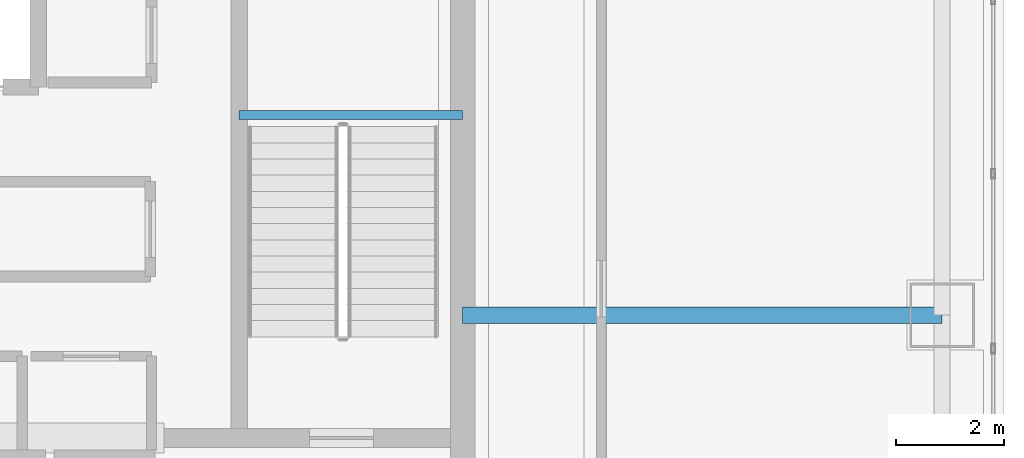
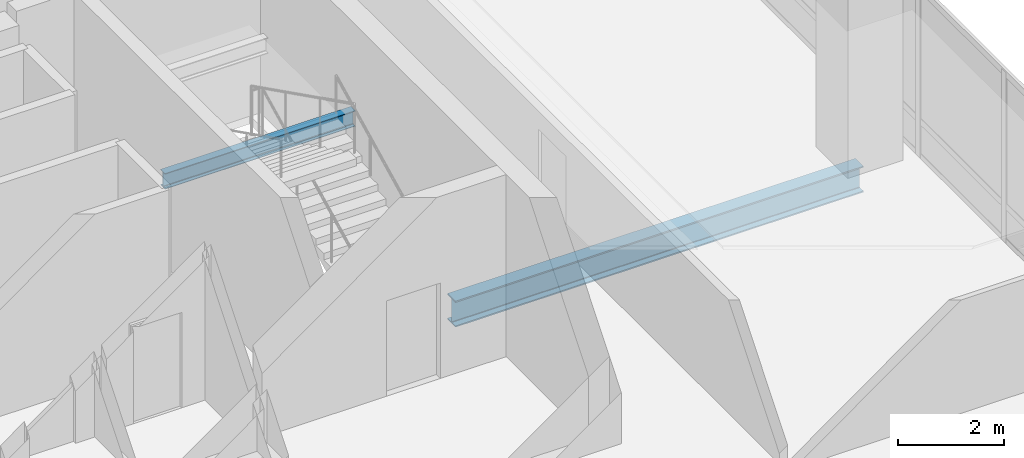
# One storey, part 20 of 46: 2 beams.
"""IFC4 building model written with IfcOpenShell, lengths in metres."""

from ifc_helpers import new_model, si_unit, direction, frame, origin, origin_2d, place, context, subcontext, project, spatial, i_section, extrude, material, material_profile, profile_set, type_object, element, save


model = new_model("IFC4")

# Units and contexts
model_context = context("Model", 3, precision=1e-05, world=origin(), true_north=direction((0.0, 1.0)))
body_context = subcontext(model_context, "Body", "Model", "MODEL_VIEW")
ifc_project = project(units=[si_unit("LENGTHUNIT", "METRE"), si_unit("AREAUNIT", "SQUARE_METRE"), si_unit("VOLUMEUNIT", "CUBIC_METRE"), si_unit("PLANEANGLEUNIT", "RADIAN"), si_unit("MASSUNIT", "GRAM", prefix="KILO")], contexts=[model_context])

# Site, building, storey
site_placement = place(None, origin())
site = spatial("IfcSite", under=ifc_project, at=site_placement, CompositionType="ELEMENT")
building_placement = place(site_placement, origin())
building = spatial("IfcBuilding", under=site, at=building_placement, Name="Punatoya Terracotta Tower", CompositionType="ELEMENT")
storey_placement = place(building_placement, frame((0.0, 0.0, 330.0)))
storey = spatial("IfcBuildingStorey", under=building, at=storey_placement, Name="L78", CompositionType="ELEMENT", Elevation=330.0)

# Beams
ifc_material = material(Name="Steel S355", Category="steel")
ifc_material_profile_1 = material_profile(ifc_material, i_section(OverallWidth=0.300048828125, OverallDepth=0.60009765625, WebThickness=0.015380859375, FlangeThickness=0.030029296875, FilletRadius=0.01806640625, at=origin_2d()))
ifc_profile_set_1 = profile_set([ifc_material_profile_1], Name="Steel S355")
beam_type_1 = type_object("IfcBeamType", Name="BM-PRI-600", PredefinedType="BEAM", material=ifc_profile_set_1)
beam_1_placement = place(storey_placement, frame((10.199951171875, -3.39990234375, -0.5), z_axis=(1.0, 0.0, 0.0), x_axis=(0.0, 1.0, 0.0)))
element("IfcBeam", 1, at=beam_1_placement, inside=storey, type_object=beam_type_1, Name="BM-L78-PR-ED", PredefinedType="BEAM", context=body_context, shape_type="SweptSolid", body=[
    extrude(i_section(OverallWidth=0.300048828125, OverallDepth=0.60009765625, WebThickness=0.015380859375, FlangeThickness=0.030029296875, FilletRadius=0.01806640625, at=origin_2d()), origin(), (0.0, 0.0, 1.0), 8.900146484375),
])
ifc_material_profile_2 = material_profile(ifc_material, i_section(OverallWidth=0.169921875, OverallDepth=0.360107421875, WebThickness=0.008056640625, FlangeThickness=0.0126953125, FilletRadius=0.01806640625, at=origin_2d()))
ifc_profile_set_2 = profile_set([ifc_material_profile_2], Name="Steel S355")
beam_type_2 = type_object("IfcBeamType", Name="BM-SEC-360", PredefinedType="JOIST", material=ifc_profile_set_2)
beam_2_placement = place(storey_placement, frame((6.050048828125, 0.320068359375, 1.719970703125), z_axis=(1.0, 0.0, 0.0), x_axis=(0.0, 1.0, 0.0)))
element("IfcBeam", 2, at=beam_2_placement, inside=storey, type_object=beam_type_2, Name="BM-L78-ST-2-LD1A", PredefinedType="JOIST", context=body_context, shape_type="SweptSolid", body=[
    extrude(i_section(OverallWidth=0.169921875, OverallDepth=0.360107421875, WebThickness=0.008056640625, FlangeThickness=0.0126953125, FilletRadius=0.01806640625, at=origin_2d()), origin(), (0.0, 0.0, 1.0), 4.14990234375),
])

save(model, "model.ifc")
